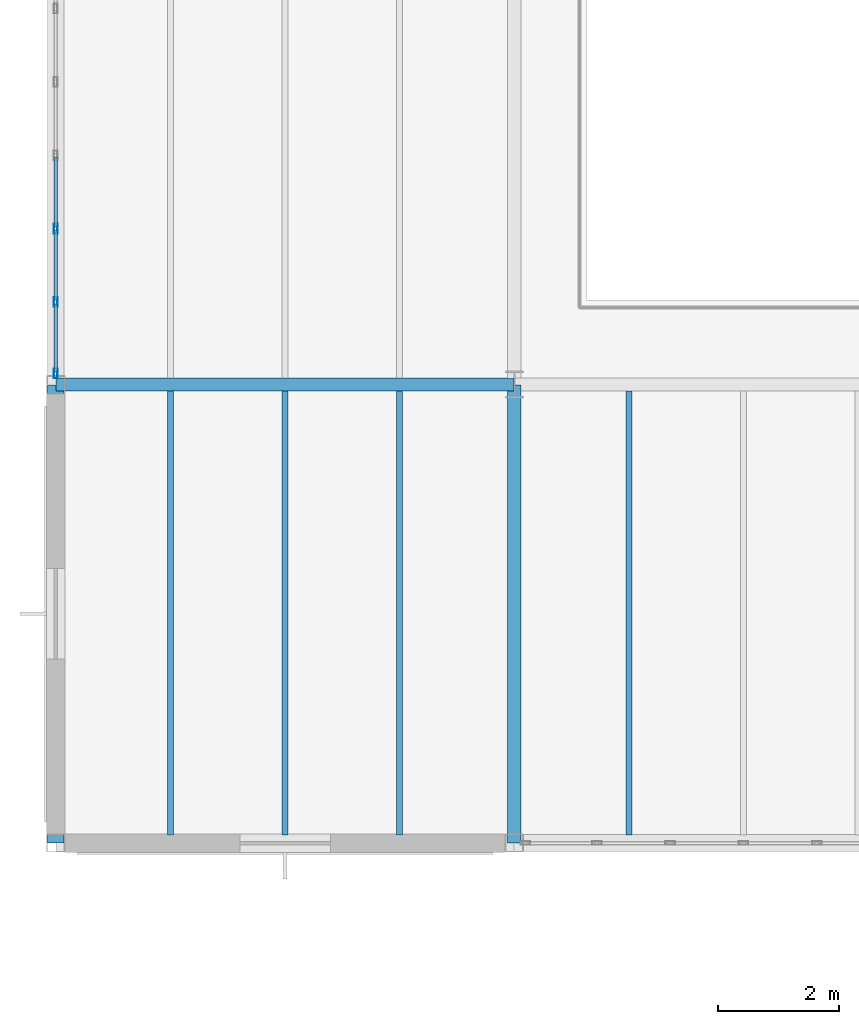
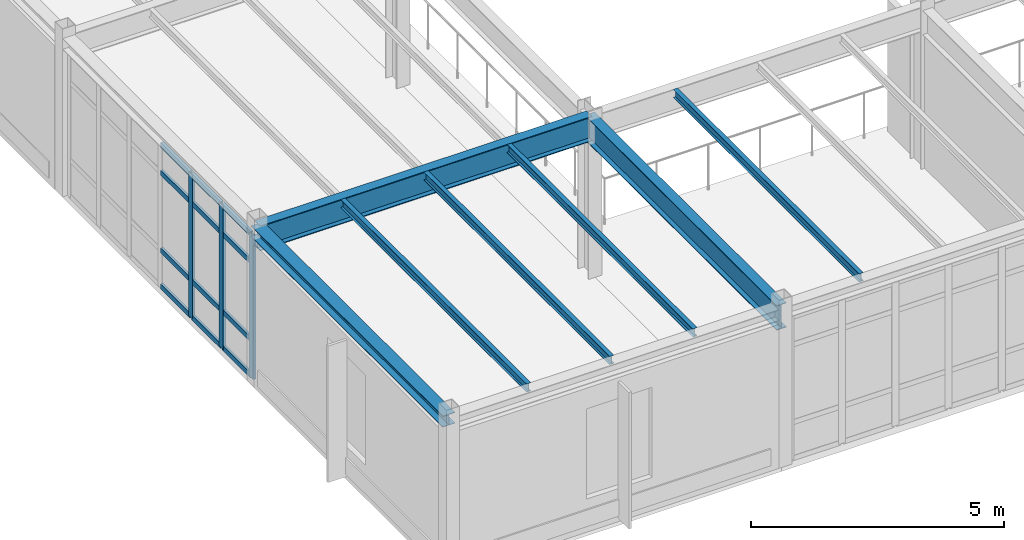
# One storey, part 65 of 165: 15 members, 7 beams, 1 element without a shape of its own.
"""IFC4 building model written with IfcOpenShell, lengths in metres."""

from ifc_helpers import new_model, si_unit, direction, frame, origin, origin_2d, place, context, subcontext, project, spatial, hollow_rectangle, i_section, extrude, material, layer, layer_set, material_profile, profile_set, type_object, element, aggregate, save


model = new_model("IFC4")

# Units and contexts
model_context = context("Model", 3, precision=1e-05, world=origin(), true_north=direction((0.0, 1.0)))
body_context = subcontext(model_context, "Body", "Model", "MODEL_VIEW")
ifc_project = project(units=[si_unit("LENGTHUNIT", "METRE"), si_unit("AREAUNIT", "SQUARE_METRE"), si_unit("VOLUMEUNIT", "CUBIC_METRE"), si_unit("PLANEANGLEUNIT", "RADIAN"), si_unit("MASSUNIT", "GRAM", prefix="KILO")], contexts=[model_context])

# Site, building, storey
site_placement = place(None, origin())
site = spatial("IfcSite", under=ifc_project, at=site_placement, CompositionType="ELEMENT")
building_placement = place(site_placement, origin())
building = spatial("IfcBuilding", under=site, at=building_placement, Name="Montecoro Central Library", CompositionType="ELEMENT")
storey_placement = place(building_placement, frame((0.0, 0.0, 5.10009765625)))
storey = spatial("IfcBuildingStorey", under=building, at=storey_placement, Name="L01", CompositionType="ELEMENT", Elevation=5.10009765625)

# Beams
ifc_material_1 = material(Name="Steel S355J2", Category="steel")
ifc_material_profile_1 = material_profile(ifc_material_1, i_section(OverallWidth=0.219970703125, OverallDepth=0.60009765625, WebThickness=0.011962890625, FlangeThickness=0.01904296875, at=origin_2d()), Name="IPE 600")
ifc_profile_set_1 = profile_set([ifc_material_profile_1], Name="Steel S355J2")
beam_type_1 = type_object("IfcBeamType", Name="BM-G-IPE600", PredefinedType="USERDEFINED", material=ifc_profile_set_1)
for number, where, z_axis, x_axis, name in (
    (1, (5.0048828125, 81.0, 3.52490234375), (1.0, 0.0, 0.0), (0.0, 1.0, 0.0), "V4-L01-BX-12-L"),
    (2, (12.60009765625, 73.405029296875, 3.52490234375), (0.0, 1.0, 0.0), (-1.0, 0.0, 0.0), "V4-L01-BY-2-KL"),
):
    element("IfcBeam", number, at=place(storey_placement, frame(where, z_axis=z_axis, x_axis=x_axis)), inside=storey, type_object=beam_type_1, Name=name, ObjectType="GIRDER", PredefinedType="USERDEFINED", context=body_context, shape_type="SweptSolid", body=[
        extrude(i_section(OverallWidth=0.219970703125, OverallDepth=0.60009765625, WebThickness=0.011962890625, FlangeThickness=0.01904296875, at=origin_2d()), origin(), (0.0, 0.0, 1.0), 7.590087890625),
    ])
ifc_material_2 = material(Name="Steel S355", Category="steel")
ifc_material_profile_2 = material_profile(ifc_material_2, i_section(OverallWidth=0.10009765625, OverallDepth=0.199951171875, WebThickness=0.005615234375, FlangeThickness=0.008544921875, at=origin_2d()), Name="IPE 200")
ifc_profile_set_2 = profile_set([ifc_material_profile_2], Name="Steel S355")
beam_type_2 = type_object("IfcBeamType", Name="BM-J-IPE200", PredefinedType="JOIST", material=ifc_profile_set_2)
for number, where, z_axis, x_axis, name in (
    (3, (6.89990234375, 73.537109375, 3.724853515625), (0.0, 1.0, 0.0), (-1.0, 0.0, 0.0), "V4-L01-JS-12-KL-1"),
    (4, (8.800048828125, 73.537109375, 3.724853515625), (0.0, 1.0, 0.0), (-1.0, 0.0, 0.0), "V4-L01-JS-12-KL-2"),
    (5, (10.699951171875, 73.537109375, 3.724853515625), (0.0, 1.0, 0.0), (-1.0, 0.0, 0.0), "V4-L01-JS-12-KL-3"),
    (6, (14.5, 73.537109375, 3.724853515625), (0.0, 1.0, 0.0), (-1.0, 0.0, 0.0), "V4-L01-JS-23-KL-1"),
):
    element("IfcBeam", number, at=place(storey_placement, frame(where, z_axis=z_axis, x_axis=x_axis)), inside=storey, type_object=beam_type_2, Name=name, PredefinedType="JOIST", context=body_context, shape_type="SweptSolid", body=[
        extrude(i_section(OverallWidth=0.10009765625, OverallDepth=0.199951171875, WebThickness=0.005615234375, FlangeThickness=0.008544921875, at=origin_2d()), origin(), (0.0, 0.0, 1.0), 7.35595703125),
    ])
ifc_material_profile_3 = material_profile(ifc_material_2, i_section(OverallWidth=0.280029296875, OverallDepth=0.27001953125, WebThickness=0.008056640625, FlangeThickness=0.012939453125, at=origin_2d()), Name="HEA 280")
ifc_profile_set_3 = profile_set([ifc_material_profile_3], Name="Steel S355")
beam_type_3 = type_object("IfcBeamType", Name="BM-SP-HEA280", PredefinedType="SPANDREL", material=ifc_profile_set_3)
beam_placement = place(storey_placement, frame((5.0, 73.405029296875, 3.68994140625), z_axis=(0.0, 1.0, 0.0), x_axis=(-1.0, 0.0, 0.0)))
element("IfcBeam", 7, at=beam_placement, inside=storey, type_object=beam_type_3, Name="V4-L01-BY-1-KL", PredefinedType="SPANDREL", context=body_context, shape_type="SweptSolid", body=[
    extrude(i_section(OverallWidth=0.280029296875, OverallDepth=0.27001953125, WebThickness=0.008056640625, FlangeThickness=0.012939453125, at=origin_2d()), origin(), (0.0, 0.0, 1.0), 7.590087890625),
])

# Curtain wall, members
ifc_material_3 = material(Name="Bronze-anodised aluminium and low-E glazing", Category="aluminium")
ifc_layer = layer(ifc_material_3, 0.159912109375)
ifc_layer_set = layer_set([ifc_layer], Name="Bronze-anodised aluminium and low-E glazing")
curtain_wall_type = type_object("IfcCurtainWallType", Name="CWT-045", PredefinedType="NOTDEFINED", material=ifc_layer_set)
curtain_wall_placement = place(storey_placement, origin())
curtain_wall = element("IfcCurtainWall", 8, at=curtain_wall_placement, inside=storey, type_object=curtain_wall_type, Name="V4-L01-CW-W1", PredefinedType="NOTDEFINED")
ifc_material_4 = material(Name="Bronze-anodised aluminium", Category="aluminium")
ifc_material_profile_4 = material_profile(ifc_material_4, hollow_rectangle(XDim=0.06005859375, YDim=0.159912109375, WallThickness=0.00390625, at=origin_2d()), Name="CWM 160x60x4.0")
ifc_profile_set_4 = profile_set([ifc_material_profile_4], Name="Bronze-anodised aluminium")
member_type_1 = type_object("IfcMemberType", Name="CWM-BRZ-60", PredefinedType="MULLION", material=ifc_profile_set_4)
member_1_placement = place(storey_placement, frame((5.0, 83.584228515625, 0.0), z_axis=(0.0, 0.0, 1.0), x_axis=(1.0, 0.0, 0.0)))
member_1 = element("IfcMember", 9, at=member_1_placement, type_object=member_type_1, Name="CW-045 mullion 5", PredefinedType="MULLION", context=body_context, shape_type="SweptSolid", body=[
    extrude(hollow_rectangle(XDim=0.06005859375, YDim=0.159912109375, WallThickness=0.00390625, at=origin_2d()), origin(), (0.0, 0.0, 1.0), 3.47998046875),
])
member_2_placement = place(storey_placement, frame((5.0, 82.36865234375, 0.0), z_axis=(0.0, 0.0, 1.0), x_axis=(1.0, 0.0, 0.0)))
member_2 = element("IfcMember", 10, at=member_2_placement, type_object=member_type_1, Name="CW-045 mullion 6", PredefinedType="MULLION", context=body_context, shape_type="SweptSolid", body=[
    extrude(hollow_rectangle(XDim=0.06005859375, YDim=0.159912109375, WallThickness=0.00390625, at=origin_2d()), origin(), (0.0, 0.0, 1.0), 3.47998046875),
])
member_3_placement = place(storey_placement, frame((5.0, 81.18310546875, 0.0), z_axis=(0.0, 0.0, 1.0), x_axis=(1.0, 0.0, 0.0)))
member_3 = element("IfcMember", 11, at=member_3_placement, type_object=member_type_1, Name="CW-045 mullion 7", PredefinedType="MULLION", context=body_context, shape_type="SweptSolid", body=[
    extrude(hollow_rectangle(XDim=0.06005859375, YDim=0.159912109375, WallThickness=0.00390625, at=origin_2d()), origin(), (0.0, 0.0, 1.0), 3.47998046875),
])
ifc_material_profile_5 = material_profile(ifc_material_4, hollow_rectangle(XDim=0.06005859375, YDim=0.1201171875, WallThickness=0.00390625, at=origin_2d()), Name="CWT 120x60x4.0")
ifc_profile_set_5 = profile_set([ifc_material_profile_5], Name="Bronze-anodised aluminium")
member_type_2 = type_object("IfcMemberType", Name="CWT-BRZ-60", PredefinedType="USERDEFINED", material=ifc_profile_set_5)
member_4_placement = place(storey_placement, frame((5.0, 84.77001953125, 0.02978515625), z_axis=(0.0, -1.0, 0.0), x_axis=(1.0, 0.0, 0.0)))
member_4 = element("IfcMember", 12, at=member_4_placement, type_object=member_type_2, Name="CW-045 transom 4.1", ObjectType="TRANSOM", PredefinedType="USERDEFINED", context=body_context, shape_type="SweptSolid", body=[
    extrude(hollow_rectangle(XDim=0.06005859375, YDim=0.1201171875, WallThickness=0.00390625, at=origin_2d()), origin(), (0.0, 0.0, 1.0), 1.15576171875),
])
member_5_placement = place(storey_placement, frame((5.0, 84.77001953125, 0.89990234375), z_axis=(0.0, -1.0, 0.0), x_axis=(1.0, 0.0, 0.0)))
member_5 = element("IfcMember", 13, at=member_5_placement, type_object=member_type_2, Name="CW-045 transom 4.2", ObjectType="TRANSOM", PredefinedType="USERDEFINED", context=body_context, shape_type="SweptSolid", body=[
    extrude(hollow_rectangle(XDim=0.06005859375, YDim=0.1201171875, WallThickness=0.00390625, at=origin_2d()), origin(), (0.0, 0.0, 1.0), 1.15576171875),
])
member_6_placement = place(storey_placement, frame((5.0, 84.77001953125, 2.77978515625), z_axis=(0.0, -1.0, 0.0), x_axis=(1.0, 0.0, 0.0)))
member_6 = element("IfcMember", 14, at=member_6_placement, type_object=member_type_2, Name="CW-045 transom 4.3", ObjectType="TRANSOM", PredefinedType="USERDEFINED", context=body_context, shape_type="SweptSolid", body=[
    extrude(hollow_rectangle(XDim=0.06005859375, YDim=0.1201171875, WallThickness=0.00390625, at=origin_2d()), origin(), (0.0, 0.0, 1.0), 1.15576171875),
])
member_7_placement = place(storey_placement, frame((5.0, 84.77001953125, 3.449951171875), z_axis=(0.0, -1.0, 0.0), x_axis=(1.0, 0.0, 0.0)))
member_7 = element("IfcMember", 15, at=member_7_placement, type_object=member_type_2, Name="CW-045 transom 4.4", ObjectType="TRANSOM", PredefinedType="USERDEFINED", context=body_context, shape_type="SweptSolid", body=[
    extrude(hollow_rectangle(XDim=0.06005859375, YDim=0.1201171875, WallThickness=0.00390625, at=origin_2d()), origin(), (0.0, 0.0, 1.0), 1.15576171875),
])
member_8_placement = place(storey_placement, frame((5.0, 83.554443359375, 0.02978515625), z_axis=(0.0, -1.0, 0.0), x_axis=(1.0, 0.0, 0.0)))
member_8 = element("IfcMember", 16, at=member_8_placement, type_object=member_type_2, Name="CW-045 transom 5.1", ObjectType="TRANSOM", PredefinedType="USERDEFINED", context=body_context, shape_type="SweptSolid", body=[
    extrude(hollow_rectangle(XDim=0.06005859375, YDim=0.1201171875, WallThickness=0.00390625, at=origin_2d()), origin(), (0.0, 0.0, 1.0), 1.15576171875),
])
member_9_placement = place(storey_placement, frame((5.0, 83.554443359375, 0.89990234375), z_axis=(0.0, -1.0, 0.0), x_axis=(1.0, 0.0, 0.0)))
member_9 = element("IfcMember", 17, at=member_9_placement, type_object=member_type_2, Name="CW-045 transom 5.2", ObjectType="TRANSOM", PredefinedType="USERDEFINED", context=body_context, shape_type="SweptSolid", body=[
    extrude(hollow_rectangle(XDim=0.06005859375, YDim=0.1201171875, WallThickness=0.00390625, at=origin_2d()), origin(), (0.0, 0.0, 1.0), 1.15576171875),
])
member_10_placement = place(storey_placement, frame((5.0, 83.554443359375, 2.77978515625), z_axis=(0.0, -1.0, 0.0), x_axis=(1.0, 0.0, 0.0)))
member_10 = element("IfcMember", 18, at=member_10_placement, type_object=member_type_2, Name="CW-045 transom 5.3", ObjectType="TRANSOM", PredefinedType="USERDEFINED", context=body_context, shape_type="SweptSolid", body=[
    extrude(hollow_rectangle(XDim=0.06005859375, YDim=0.1201171875, WallThickness=0.00390625, at=origin_2d()), origin(), (0.0, 0.0, 1.0), 1.15576171875),
])
member_11_placement = place(storey_placement, frame((5.0, 83.554443359375, 3.449951171875), z_axis=(0.0, -1.0, 0.0), x_axis=(1.0, 0.0, 0.0)))
member_11 = element("IfcMember", 19, at=member_11_placement, type_object=member_type_2, Name="CW-045 transom 5.4", ObjectType="TRANSOM", PredefinedType="USERDEFINED", context=body_context, shape_type="SweptSolid", body=[
    extrude(hollow_rectangle(XDim=0.06005859375, YDim=0.1201171875, WallThickness=0.00390625, at=origin_2d()), origin(), (0.0, 0.0, 1.0), 1.15576171875),
])
member_12_placement = place(storey_placement, frame((5.0, 82.338623046875, 0.02978515625), z_axis=(0.0, -1.0, 0.0), x_axis=(1.0, 0.0, 0.0)))
member_12 = element("IfcMember", 20, at=member_12_placement, type_object=member_type_2, Name="CW-045 transom 6.1", ObjectType="TRANSOM", PredefinedType="USERDEFINED", context=body_context, shape_type="SweptSolid", body=[
    extrude(hollow_rectangle(XDim=0.06005859375, YDim=0.1201171875, WallThickness=0.00390625, at=origin_2d()), origin(), (0.0, 0.0, 1.0), 1.125732421875),
])
member_13_placement = place(storey_placement, frame((5.0, 82.338623046875, 0.89990234375), z_axis=(0.0, -1.0, 0.0), x_axis=(1.0, 0.0, 0.0)))
member_13 = element("IfcMember", 21, at=member_13_placement, type_object=member_type_2, Name="CW-045 transom 6.2", ObjectType="TRANSOM", PredefinedType="USERDEFINED", context=body_context, shape_type="SweptSolid", body=[
    extrude(hollow_rectangle(XDim=0.06005859375, YDim=0.1201171875, WallThickness=0.00390625, at=origin_2d()), origin(), (0.0, 0.0, 1.0), 1.125732421875),
])
member_14_placement = place(storey_placement, frame((5.0, 82.338623046875, 2.77978515625), z_axis=(0.0, -1.0, 0.0), x_axis=(1.0, 0.0, 0.0)))
member_14 = element("IfcMember", 22, at=member_14_placement, type_object=member_type_2, Name="CW-045 transom 6.3", ObjectType="TRANSOM", PredefinedType="USERDEFINED", context=body_context, shape_type="SweptSolid", body=[
    extrude(hollow_rectangle(XDim=0.06005859375, YDim=0.1201171875, WallThickness=0.00390625, at=origin_2d()), origin(), (0.0, 0.0, 1.0), 1.125732421875),
])
member_15_placement = place(storey_placement, frame((5.0, 82.338623046875, 3.449951171875), z_axis=(0.0, -1.0, 0.0), x_axis=(1.0, 0.0, 0.0)))
member_15 = element("IfcMember", 23, at=member_15_placement, type_object=member_type_2, Name="CW-045 transom 6.4", ObjectType="TRANSOM", PredefinedType="USERDEFINED", context=body_context, shape_type="SweptSolid", body=[
    extrude(hollow_rectangle(XDim=0.06005859375, YDim=0.1201171875, WallThickness=0.00390625, at=origin_2d()), origin(), (0.0, 0.0, 1.0), 1.125732421875),
])
aggregate(curtain_wall, [member_1, member_2, member_3, member_4, member_5, member_6, member_7, member_8, member_9, member_10, member_11, member_12, member_13, member_14, member_15])

save(model, "model.ifc")
